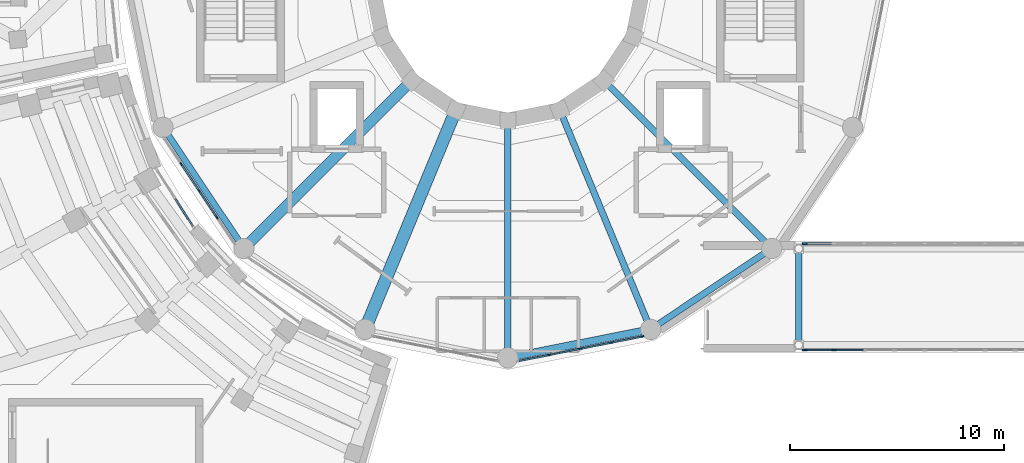
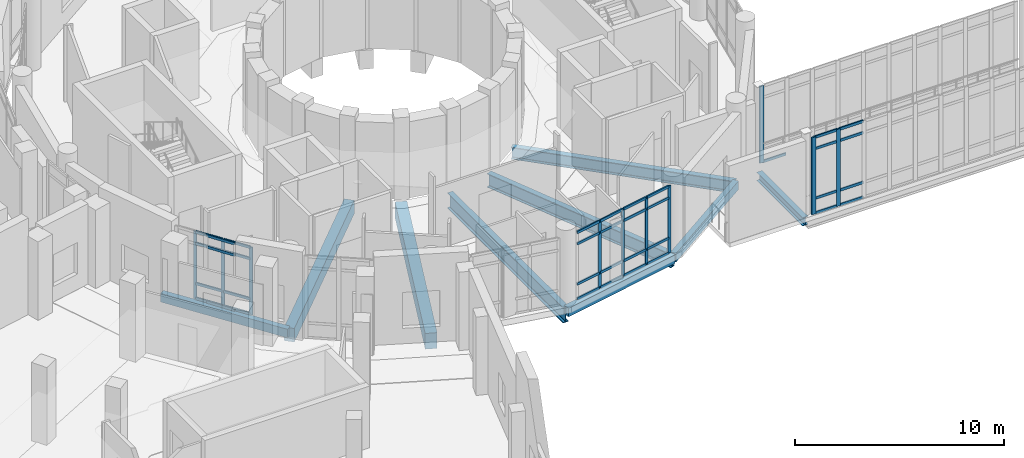
# One storey, part 13 of 89: 46 members, 9 beams, 5 elements without a shape of their own.
"""IFC4 building model written with IfcOpenShell, lengths in metres."""

from ifc_helpers import new_model, si_unit, direction, frame, origin, origin_2d, place, context, subcontext, project, spatial, rectangle, i_section, extrude, material, material_profile, profile_set, type_object, element, aggregate, save


model = new_model("IFC4")

# Units and contexts
model_context = context("Model", 3, precision=1e-05, world=origin(), true_north=direction((0.0, 1.0)))
body_context = subcontext(model_context, "Body", "Model", "MODEL_VIEW")
ifc_project = project(units=[si_unit("LENGTHUNIT", "METRE"), si_unit("AREAUNIT", "SQUARE_METRE"), si_unit("VOLUMEUNIT", "CUBIC_METRE"), si_unit("PLANEANGLEUNIT", "RADIAN"), si_unit("MASSUNIT", "GRAM", prefix="KILO")], contexts=[model_context])

# Site, building, storey
site_placement = place(None, origin())
site = spatial("IfcSite", under=ifc_project, at=site_placement, CompositionType="ELEMENT")
building_placement = place(site_placement, origin())
building = spatial("IfcBuilding", under=site, at=building_placement, Name="Soyqirgoq Riverine Aquarium", CompositionType="ELEMENT")
storey_placement = place(building_placement, frame((0.0, 0.0, 5.39990234375)))
storey = spatial("IfcBuildingStorey", under=building, at=storey_placement, Name="L02", CompositionType="ELEMENT", Elevation=5.39990234375)

# Curtain wall, members
ifc_material_1 = material(Name="Anodised aluminium thermally broken triple low-E glazing", Category="aluminium")
curtain_wall_type_1 = type_object("IfcCurtainWallType", Name="CW_DrumGallery_Unitised", PredefinedType="NOTDEFINED", material=ifc_material_1)
curtain_wall_1_placement = place(storey_placement, origin())
curtain_wall_1 = element("IfcCurtainWall", 1, at=curtain_wall_1_placement, inside=storey, type_object=curtain_wall_type_1, Name="V1 L02 Curtain Wall 035", PredefinedType="NOTDEFINED")
ifc_material_2 = material(Name="Anodised aluminium 6063-T6", Category="aluminium")
ifc_material_profile_1 = material_profile(ifc_material_2, rectangle(XDim=0.06494140625, YDim=0.179931640625, at=origin_2d()), Name="ALU-M 65x180")
ifc_profile_set_1 = profile_set([ifc_material_profile_1], Name="Anodised aluminium 6063-T6")
member_type_1 = type_object("IfcMemberType", Name="CWMullion_65x180", PredefinedType="MULLION", material=ifc_profile_set_1)
member_1_placement = place(storey_placement, frame((40.7392578125, 48.592041015625, 0.0), z_axis=(0.0, 0.0, 1.0), x_axis=(0.8314732256, 0.5555648253, 0.0)))
member_1 = element("IfcMember", 2, at=member_1_placement, type_object=member_type_1, Name="CW-01 mullion 2", PredefinedType="MULLION", context=body_context, shape_type="SweptSolid", body=[
    extrude(rectangle(XDim=0.06494140625, YDim=0.179931640625, at=origin_2d()), origin(), (0.0, 0.0, 1.0), 3.9501953125),
])
member_2_placement = place(storey_placement, frame((41.565673828125, 47.35546875, 0.0), z_axis=(0.0, 0.0, 1.0), x_axis=(0.8314732256, 0.5555648253, 0.0)))
member_2 = element("IfcMember", 3, at=member_2_placement, type_object=member_type_1, Name="CW-01 mullion 3", PredefinedType="MULLION", context=body_context, shape_type="SweptSolid", body=[
    extrude(rectangle(XDim=0.06494140625, YDim=0.179931640625, at=origin_2d()), origin(), (0.0, 0.0, 1.0), 3.9501953125),
])
member_3_placement = place(storey_placement, frame((42.39208984375, 46.11865234375, 0.0), z_axis=(0.0, 0.0, 1.0), x_axis=(0.8314732256, 0.5555648253, 0.0)))
member_3 = element("IfcMember", 4, at=member_3_placement, type_object=member_type_1, Name="CW-01 mullion 4", PredefinedType="MULLION", context=body_context, shape_type="SweptSolid", body=[
    extrude(rectangle(XDim=0.06494140625, YDim=0.179931640625, at=origin_2d()), origin(), (0.0, 0.0, 1.0), 3.9501953125),
])

curtain_wall_2_placement = place(storey_placement, origin())
curtain_wall_2 = element("IfcCurtainWall", 5, at=curtain_wall_2_placement, inside=storey, type_object=curtain_wall_type_1, Name="V1 L02 Curtain Wall 056", PredefinedType="NOTDEFINED")
member_4_placement = place(storey_placement, frame((57.927978515625, 39.68359375, 0.0), z_axis=(0.0, 0.0, 1.0), x_axis=(-0.195088165618, 0.980785709335, 0.0)))
member_4 = element("IfcMember", 6, at=member_4_placement, type_object=member_type_1, Name="CW-01 mullion 2", PredefinedType="MULLION", context=body_context, shape_type="SweptSolid", body=[
    extrude(rectangle(XDim=0.06494140625, YDim=0.179931640625, at=origin_2d()), origin(), (0.0, 0.0, 1.0), 3.9501953125),
])
member_5_placement = place(storey_placement, frame((59.38671875, 39.9736328125, 0.0), z_axis=(0.0, 0.0, 1.0), x_axis=(-0.195088165618, 0.980785709335, 0.0)))
member_5 = element("IfcMember", 7, at=member_5_placement, type_object=member_type_1, Name="CW-01 mullion 3", PredefinedType="MULLION", context=body_context, shape_type="SweptSolid", body=[
    extrude(rectangle(XDim=0.06494140625, YDim=0.179931640625, at=origin_2d()), origin(), (0.0, 0.0, 1.0), 3.9501953125),
])
member_6_placement = place(storey_placement, frame((60.845458984375, 40.263916015625, 0.0), z_axis=(0.0, 0.0, 1.0), x_axis=(-0.195088165618, 0.980785709335, 0.0)))
member_6 = element("IfcMember", 8, at=member_6_placement, type_object=member_type_1, Name="CW-01 mullion 4", PredefinedType="MULLION", context=body_context, shape_type="SweptSolid", body=[
    extrude(rectangle(XDim=0.06494140625, YDim=0.179931640625, at=origin_2d()), origin(), (0.0, 0.0, 1.0), 3.9501953125),
])
member_7_placement = place(storey_placement, frame((62.2724609375, 40.547607421875, 0.0), z_axis=(0.0, 0.0, 1.0), x_axis=(-0.195088165618, 0.980785709335, 0.0)))
member_7 = element("IfcMember", 9, at=member_7_placement, type_object=member_type_1, Name="CW-01 mullion 5", PredefinedType="MULLION", context=body_context, shape_type="SweptSolid", body=[
    extrude(rectangle(XDim=0.06494140625, YDim=0.179931640625, at=origin_2d()), origin(), (0.0, 0.0, 1.0), 3.9501953125),
])

ifc_material_3 = material(Name="Laminated solar-control bridge curtain wall", Category="aluminium")
curtain_wall_type_2 = type_object("IfcCurtainWallType", Name="CW_Bridge_Concourse", PredefinedType="NOTDEFINED", material=ifc_material_3)
curtain_wall_3_placement = place(storey_placement, origin())
curtain_wall_3 = element("IfcCurtainWall", 10, at=curtain_wall_3_placement, inside=storey, type_object=curtain_wall_type_2, Name="BR-1 L02 Curtain Wall 135", PredefinedType="NOTDEFINED")
ifc_material_4 = material(Name="Anodised aluminium 6063-T6", Category="aluminium")
ifc_material_profile_2 = material_profile(ifc_material_4, rectangle(XDim=0.080078125, YDim=0.219970703125, at=origin_2d()), Name="ALU-M 80x220")
ifc_profile_set_2 = profile_set([ifc_material_profile_2], Name="Anodised aluminium 6063-T6")
member_type_2 = type_object("IfcMemberType", Name="CWMullion_80x220", PredefinedType="MULLION", material=ifc_profile_set_2)
member_8_placement = place(storey_placement, frame((69.8798828125, 39.919921875, 0.0), z_axis=(0.0, 0.0, 1.0), x_axis=(0.0, 1.0, 0.0)))
member_8 = element("IfcMember", 11, at=member_8_placement, type_object=member_type_2, Name="CW-06 mullion 1", PredefinedType="MULLION", context=body_context, shape_type="SweptSolid", body=[
    extrude(rectangle(XDim=0.080078125, YDim=0.219970703125, at=origin_2d()), origin(), (0.0, 0.0, 1.0), 4.5),
])
member_9_placement = place(storey_placement, frame((71.251953125, 39.919921875, 0.0), z_axis=(0.0, 0.0, 1.0), x_axis=(0.0, 1.0, 0.0)))
member_9 = element("IfcMember", 12, at=member_9_placement, type_object=member_type_2, Name="CW-06 mullion 2", PredefinedType="MULLION", context=body_context, shape_type="SweptSolid", body=[
    extrude(rectangle(XDim=0.080078125, YDim=0.219970703125, at=origin_2d()), origin(), (0.0, 0.0, 1.0), 4.5),
])

# Curtain wall, member
curtain_wall_4_placement = place(storey_placement, origin())
curtain_wall_4 = element("IfcCurtainWall", 13, at=curtain_wall_4_placement, inside=storey, type_object=curtain_wall_type_2, Name="BR-1 L02 Curtain Wall 138", PredefinedType="NOTDEFINED")
member_10_placement = place(storey_placement, frame((69.8798828125, 44.8798828125, 0.0), z_axis=(0.0, 0.0, 1.0), x_axis=(0.0, 1.0, 0.0)))
member_10 = element("IfcMember", 14, at=member_10_placement, type_object=member_type_2, Name="CW-06 mullion 1", PredefinedType="MULLION", context=body_context, shape_type="SweptSolid", body=[
    extrude(rectangle(XDim=0.080078125, YDim=0.219970703125, at=origin_2d()), origin(), (0.0, 0.0, 1.0), 4.5),
])

# Member
ifc_material_5 = material(Name="Anodised aluminium 6063-T6", Category="aluminium")
ifc_material_profile_3 = material_profile(ifc_material_5, rectangle(XDim=0.074951171875, YDim=0.14990234375, at=origin_2d()), Name="ALU-T 75x150")
ifc_profile_set_3 = profile_set([ifc_material_profile_3], Name="Anodised aluminium 6063-T6")
member_type_3 = type_object("IfcMemberType", Name="CWTransom_75x150", PredefinedType="USERDEFINED", material=ifc_profile_set_3)
member_11_placement = place(storey_placement, frame((40.75732421875, 48.565185546875, 0.03759765625), z_axis=(0.555531612552, -0.831495416377, 0.0), x_axis=(0.831495416377, 0.555531612552, 0.0)))
member_11 = element("IfcMember", 15, at=member_11_placement, type_object=member_type_3, Name="CW-01 transom 2.1", ObjectType="TRANSOM", PredefinedType="USERDEFINED", context=body_context, shape_type="SweptSolid", body=[
    extrude(rectangle(XDim=0.074951171875, YDim=0.14990234375, at=origin_2d()), origin(), (0.0, 0.0, 1.0), 1.422607421875),
])

member_12_placement = place(storey_placement, frame((40.75732421875, 48.565185546875, 0.900146484375), z_axis=(0.555531612552, -0.831495416377, 0.0), x_axis=(0.831495416377, 0.555531612552, 0.0)))
member_12 = element("IfcMember", 16, at=member_12_placement, type_object=member_type_3, Name="CW-01 transom 2.2", ObjectType="TRANSOM", PredefinedType="USERDEFINED", context=body_context, shape_type="SweptSolid", body=[
    extrude(rectangle(XDim=0.074951171875, YDim=0.14990234375, at=origin_2d()), origin(), (0.0, 0.0, 1.0), 1.422607421875),
])

member_13_placement = place(storey_placement, frame((40.75732421875, 48.565185546875, 3.25), z_axis=(0.555531612552, -0.831495416377, 0.0), x_axis=(0.831495416377, 0.555531612552, 0.0)))
member_13 = element("IfcMember", 17, at=member_13_placement, type_object=member_type_3, Name="CW-01 transom 2.3", ObjectType="TRANSOM", PredefinedType="USERDEFINED", context=body_context, shape_type="SweptSolid", body=[
    extrude(rectangle(XDim=0.074951171875, YDim=0.14990234375, at=origin_2d()), origin(), (0.0, 0.0, 1.0), 1.422607421875),
])

member_14_placement = place(storey_placement, frame((40.75732421875, 48.565185546875, 3.91259765625), z_axis=(0.555531612552, -0.831495416377, 0.0), x_axis=(0.831495416377, 0.555531612552, 0.0)))
member_14 = element("IfcMember", 18, at=member_14_placement, type_object=member_type_3, Name="CW-01 transom 2.4", ObjectType="TRANSOM", PredefinedType="USERDEFINED", context=body_context, shape_type="SweptSolid", body=[
    extrude(rectangle(XDim=0.074951171875, YDim=0.14990234375, at=origin_2d()), origin(), (0.0, 0.0, 1.0), 1.422607421875),
])

member_15_placement = place(storey_placement, frame((41.583740234375, 47.328369140625, 0.03759765625), z_axis=(0.555531612552, -0.831495416377, 0.0), x_axis=(0.831495416377, 0.555531612552, 0.0)))
member_15 = element("IfcMember", 19, at=member_15_placement, type_object=member_type_3, Name="CW-01 transom 3.1", ObjectType="TRANSOM", PredefinedType="USERDEFINED", context=body_context, shape_type="SweptSolid", body=[
    extrude(rectangle(XDim=0.074951171875, YDim=0.14990234375, at=origin_2d()), origin(), (0.0, 0.0, 1.0), 1.422607421875),
])

member_16_placement = place(storey_placement, frame((41.583740234375, 47.328369140625, 0.900146484375), z_axis=(0.555531612552, -0.831495416377, 0.0), x_axis=(0.831495416377, 0.555531612552, 0.0)))
member_16 = element("IfcMember", 20, at=member_16_placement, type_object=member_type_3, Name="CW-01 transom 3.2", ObjectType="TRANSOM", PredefinedType="USERDEFINED", context=body_context, shape_type="SweptSolid", body=[
    extrude(rectangle(XDim=0.074951171875, YDim=0.14990234375, at=origin_2d()), origin(), (0.0, 0.0, 1.0), 1.422607421875),
])

member_17_placement = place(storey_placement, frame((41.583740234375, 47.328369140625, 3.25), z_axis=(0.555531612552, -0.831495416377, 0.0), x_axis=(0.831495416377, 0.555531612552, 0.0)))
member_17 = element("IfcMember", 21, at=member_17_placement, type_object=member_type_3, Name="CW-01 transom 3.3", ObjectType="TRANSOM", PredefinedType="USERDEFINED", context=body_context, shape_type="SweptSolid", body=[
    extrude(rectangle(XDim=0.074951171875, YDim=0.14990234375, at=origin_2d()), origin(), (0.0, 0.0, 1.0), 1.422607421875),
])

member_18_placement = place(storey_placement, frame((41.583740234375, 47.328369140625, 3.91259765625), z_axis=(0.555531612552, -0.831495416377, 0.0), x_axis=(0.831495416377, 0.555531612552, 0.0)))
member_18 = element("IfcMember", 22, at=member_18_placement, type_object=member_type_3, Name="CW-01 transom 3.4", ObjectType="TRANSOM", PredefinedType="USERDEFINED", context=body_context, shape_type="SweptSolid", body=[
    extrude(rectangle(XDim=0.074951171875, YDim=0.14990234375, at=origin_2d()), origin(), (0.0, 0.0, 1.0), 1.422607421875),
])

aggregate(curtain_wall_1, [member_1, member_2, member_3, member_11, member_12, member_13, member_14, member_15, member_16, member_17, member_18])

member_19_placement = place(storey_placement, frame((56.532958984375, 39.406005859375, 0.03759765625), z_axis=(0.980769403258, 0.195170124847, 0.0), x_axis=(-0.195170124847, 0.980769403258, 0.0)))
member_19 = element("IfcMember", 23, at=member_19_placement, type_object=member_type_3, Name="CW-01 transom 1.1", ObjectType="TRANSOM", PredefinedType="USERDEFINED", context=body_context, shape_type="SweptSolid", body=[
    extrude(rectangle(XDim=0.074951171875, YDim=0.14990234375, at=origin_2d()), origin(), (0.0, 0.0, 1.0), 1.3896484375),
])

member_20_placement = place(storey_placement, frame((56.532958984375, 39.406005859375, 0.900146484375), z_axis=(0.980769403258, 0.195170124847, 0.0), x_axis=(-0.195170124847, 0.980769403258, 0.0)))
member_20 = element("IfcMember", 24, at=member_20_placement, type_object=member_type_3, Name="CW-01 transom 1.2", ObjectType="TRANSOM", PredefinedType="USERDEFINED", context=body_context, shape_type="SweptSolid", body=[
    extrude(rectangle(XDim=0.074951171875, YDim=0.14990234375, at=origin_2d()), origin(), (0.0, 0.0, 1.0), 1.3896484375),
])

member_21_placement = place(storey_placement, frame((56.532958984375, 39.406005859375, 3.25), z_axis=(0.980769403258, 0.195170124847, 0.0), x_axis=(-0.195170124847, 0.980769403258, 0.0)))
member_21 = element("IfcMember", 25, at=member_21_placement, type_object=member_type_3, Name="CW-01 transom 1.3", ObjectType="TRANSOM", PredefinedType="USERDEFINED", context=body_context, shape_type="SweptSolid", body=[
    extrude(rectangle(XDim=0.074951171875, YDim=0.14990234375, at=origin_2d()), origin(), (0.0, 0.0, 1.0), 1.3896484375),
])

member_22_placement = place(storey_placement, frame((56.532958984375, 39.406005859375, 3.91259765625), z_axis=(0.980769403258, 0.195170124847, 0.0), x_axis=(-0.195170124847, 0.980769403258, 0.0)))
member_22 = element("IfcMember", 26, at=member_22_placement, type_object=member_type_3, Name="CW-01 transom 1.4", ObjectType="TRANSOM", PredefinedType="USERDEFINED", context=body_context, shape_type="SweptSolid", body=[
    extrude(rectangle(XDim=0.074951171875, YDim=0.14990234375, at=origin_2d()), origin(), (0.0, 0.0, 1.0), 1.3896484375),
])

member_23_placement = place(storey_placement, frame((57.959716796875, 39.689697265625, 0.03759765625), z_axis=(0.980778192848, 0.195125950178, 0.0), x_axis=(-0.195125950178, 0.980778192848, 0.0)))
member_23 = element("IfcMember", 27, at=member_23_placement, type_object=member_type_3, Name="CW-01 transom 2.1", ObjectType="TRANSOM", PredefinedType="USERDEFINED", context=body_context, shape_type="SweptSolid", body=[
    extrude(rectangle(XDim=0.074951171875, YDim=0.14990234375, at=origin_2d()), origin(), (0.0, 0.0, 1.0), 1.422607421875),
])

member_24_placement = place(storey_placement, frame((57.959716796875, 39.689697265625, 0.900146484375), z_axis=(0.980778192848, 0.195125950178, 0.0), x_axis=(-0.195125950178, 0.980778192848, 0.0)))
member_24 = element("IfcMember", 28, at=member_24_placement, type_object=member_type_3, Name="CW-01 transom 2.2", ObjectType="TRANSOM", PredefinedType="USERDEFINED", context=body_context, shape_type="SweptSolid", body=[
    extrude(rectangle(XDim=0.074951171875, YDim=0.14990234375, at=origin_2d()), origin(), (0.0, 0.0, 1.0), 1.422607421875),
])

member_25_placement = place(storey_placement, frame((57.959716796875, 39.689697265625, 3.25), z_axis=(0.980778192848, 0.195125950178, 0.0), x_axis=(-0.195125950178, 0.980778192848, 0.0)))
member_25 = element("IfcMember", 29, at=member_25_placement, type_object=member_type_3, Name="CW-01 transom 2.3", ObjectType="TRANSOM", PredefinedType="USERDEFINED", context=body_context, shape_type="SweptSolid", body=[
    extrude(rectangle(XDim=0.074951171875, YDim=0.14990234375, at=origin_2d()), origin(), (0.0, 0.0, 1.0), 1.422607421875),
])

member_26_placement = place(storey_placement, frame((57.959716796875, 39.689697265625, 3.91259765625), z_axis=(0.980778192848, 0.195125950178, 0.0), x_axis=(-0.195125950178, 0.980778192848, 0.0)))
member_26 = element("IfcMember", 30, at=member_26_placement, type_object=member_type_3, Name="CW-01 transom 2.4", ObjectType="TRANSOM", PredefinedType="USERDEFINED", context=body_context, shape_type="SweptSolid", body=[
    extrude(rectangle(XDim=0.074951171875, YDim=0.14990234375, at=origin_2d()), origin(), (0.0, 0.0, 1.0), 1.422607421875),
])

member_27_placement = place(storey_placement, frame((59.418701171875, 39.97998046875, 0.03759765625), z_axis=(0.980771657116, 0.195158798415, 0.0), x_axis=(-0.195158798415, 0.980771657116, 0.0)))
member_27 = element("IfcMember", 31, at=member_27_placement, type_object=member_type_3, Name="CW-01 transom 3.1", ObjectType="TRANSOM", PredefinedType="USERDEFINED", context=body_context, shape_type="SweptSolid", body=[
    extrude(rectangle(XDim=0.074951171875, YDim=0.14990234375, at=origin_2d()), origin(), (0.0, 0.0, 1.0), 1.42236328125),
])

member_28_placement = place(storey_placement, frame((59.418701171875, 39.97998046875, 0.900146484375), z_axis=(0.980771657116, 0.195158798415, 0.0), x_axis=(-0.195158798415, 0.980771657116, 0.0)))
member_28 = element("IfcMember", 32, at=member_28_placement, type_object=member_type_3, Name="CW-01 transom 3.2", ObjectType="TRANSOM", PredefinedType="USERDEFINED", context=body_context, shape_type="SweptSolid", body=[
    extrude(rectangle(XDim=0.074951171875, YDim=0.14990234375, at=origin_2d()), origin(), (0.0, 0.0, 1.0), 1.42236328125),
])

member_29_placement = place(storey_placement, frame((59.418701171875, 39.97998046875, 3.25), z_axis=(0.980771657116, 0.195158798415, 0.0), x_axis=(-0.195158798415, 0.980771657116, 0.0)))
member_29 = element("IfcMember", 33, at=member_29_placement, type_object=member_type_3, Name="CW-01 transom 3.3", ObjectType="TRANSOM", PredefinedType="USERDEFINED", context=body_context, shape_type="SweptSolid", body=[
    extrude(rectangle(XDim=0.074951171875, YDim=0.14990234375, at=origin_2d()), origin(), (0.0, 0.0, 1.0), 1.42236328125),
])

member_30_placement = place(storey_placement, frame((59.418701171875, 39.97998046875, 3.91259765625), z_axis=(0.980771657116, 0.195158798415, 0.0), x_axis=(-0.195158798415, 0.980771657116, 0.0)))
member_30 = element("IfcMember", 34, at=member_30_placement, type_object=member_type_3, Name="CW-01 transom 3.4", ObjectType="TRANSOM", PredefinedType="USERDEFINED", context=body_context, shape_type="SweptSolid", body=[
    extrude(rectangle(XDim=0.074951171875, YDim=0.14990234375, at=origin_2d()), origin(), (0.0, 0.0, 1.0), 1.42236328125),
])

member_31_placement = place(storey_placement, frame((60.87744140625, 40.270263671875, 0.03759765625), z_axis=(0.980809694645, 0.194967543169, 0.0), x_axis=(-0.194967543169, 0.980809694645, 0.0)))
member_31 = element("IfcMember", 35, at=member_31_placement, type_object=member_type_3, Name="CW-01 transom 4.1", ObjectType="TRANSOM", PredefinedType="USERDEFINED", context=body_context, shape_type="SweptSolid", body=[
    extrude(rectangle(XDim=0.074951171875, YDim=0.14990234375, at=origin_2d()), origin(), (0.0, 0.0, 1.0), 1.389892578125),
])

member_32_placement = place(storey_placement, frame((60.87744140625, 40.270263671875, 0.900146484375), z_axis=(0.980809694645, 0.194967543169, 0.0), x_axis=(-0.194967543169, 0.980809694645, 0.0)))
member_32 = element("IfcMember", 36, at=member_32_placement, type_object=member_type_3, Name="CW-01 transom 4.2", ObjectType="TRANSOM", PredefinedType="USERDEFINED", context=body_context, shape_type="SweptSolid", body=[
    extrude(rectangle(XDim=0.074951171875, YDim=0.14990234375, at=origin_2d()), origin(), (0.0, 0.0, 1.0), 1.389892578125),
])

member_33_placement = place(storey_placement, frame((60.87744140625, 40.270263671875, 3.25), z_axis=(0.980809694645, 0.194967543169, 0.0), x_axis=(-0.194967543169, 0.980809694645, 0.0)))
member_33 = element("IfcMember", 37, at=member_33_placement, type_object=member_type_3, Name="CW-01 transom 4.3", ObjectType="TRANSOM", PredefinedType="USERDEFINED", context=body_context, shape_type="SweptSolid", body=[
    extrude(rectangle(XDim=0.074951171875, YDim=0.14990234375, at=origin_2d()), origin(), (0.0, 0.0, 1.0), 1.389892578125),
])

member_34_placement = place(storey_placement, frame((60.87744140625, 40.270263671875, 3.91259765625), z_axis=(0.980809694645, 0.194967543169, 0.0), x_axis=(-0.194967543169, 0.980809694645, 0.0)))
member_34 = element("IfcMember", 38, at=member_34_placement, type_object=member_type_3, Name="CW-01 transom 4.4", ObjectType="TRANSOM", PredefinedType="USERDEFINED", context=body_context, shape_type="SweptSolid", body=[
    extrude(rectangle(XDim=0.074951171875, YDim=0.14990234375, at=origin_2d()), origin(), (0.0, 0.0, 1.0), 1.389892578125),
])

aggregate(curtain_wall_2, [member_4, member_5, member_6, member_7, member_19, member_20, member_21, member_22, member_23, member_24, member_25, member_26, member_27, member_28, member_29, member_30, member_31, member_32, member_33, member_34])

# Curtain wall, members
ifc_material_6 = material(Name="Anodised aluminium thermally broken double low-E glazing", Category="aluminium")
curtain_wall_type_3 = type_object("IfcCurtainWallType", Name="CW_Wedge_NorthBay", PredefinedType="NOTDEFINED", material=ifc_material_6)
curtain_wall_5_placement = place(storey_placement, origin())
curtain_wall_5 = element("IfcCurtainWall", 39, at=curtain_wall_5_placement, inside=storey, type_object=curtain_wall_type_3, Name="V2 L02 Curtain Wall 081", PredefinedType="NOTDEFINED")
member_35_placement = place(storey_placement, frame((40.4521484375, 46.983642578125, 0.900146484375), z_axis=(0.539745335311, -0.841828351275, 0.0), x_axis=(0.841828351275, 0.539745335311, 0.0)))
member_35 = element("IfcMember", 40, at=member_35_placement, type_object=member_type_3, Name="CW-03 transom 2.2", ObjectType="TRANSOM", PredefinedType="USERDEFINED", context=body_context, shape_type="SweptSolid", body=[
    extrude(rectangle(XDim=0.074951171875, YDim=0.14990234375, at=origin_2d()), origin(), (0.0, 0.0, 1.0), 1.51220703125),
])
member_36_placement = place(storey_placement, frame((40.4521484375, 46.983642578125, 4.110107421875), z_axis=(0.539745335311, -0.841828351275, 0.0), x_axis=(0.841828351275, 0.539745335311, 0.0)))
member_36 = element("IfcMember", 41, at=member_36_placement, type_object=member_type_3, Name="CW-03 transom 2.3", ObjectType="TRANSOM", PredefinedType="USERDEFINED", context=body_context, shape_type="SweptSolid", body=[
    extrude(rectangle(XDim=0.074951171875, YDim=0.14990234375, at=origin_2d()), origin(), (0.0, 0.0, 1.0), 1.51220703125),
])
member_37_placement = place(storey_placement, frame((40.4521484375, 46.983642578125, 4.772705078125), z_axis=(0.539745335311, -0.841828351275, 0.0), x_axis=(0.841828351275, 0.539745335311, 0.0)))
member_37 = element("IfcMember", 42, at=member_37_placement, type_object=member_type_3, Name="CW-03 transom 2.4", ObjectType="TRANSOM", PredefinedType="USERDEFINED", context=body_context, shape_type="SweptSolid", body=[
    extrude(rectangle(XDim=0.074951171875, YDim=0.14990234375, at=origin_2d()), origin(), (0.0, 0.0, 1.0), 1.51220703125),
])
aggregate(curtain_wall_5, [member_35, member_36, member_37])

# Member
member_38_placement = place(storey_placement, frame((69.919921875, 39.919921875, 0.03759765625), z_axis=(1.0, 0.0, 0.0), x_axis=(0.0, 1.0, 0.0)))
member_38 = element("IfcMember", 43, at=member_38_placement, type_object=member_type_3, Name="CW-06 transom 1.1", ObjectType="TRANSOM", PredefinedType="USERDEFINED", context=body_context, shape_type="SweptSolid", body=[
    extrude(rectangle(XDim=0.074951171875, YDim=0.14990234375, at=origin_2d()), origin(), (0.0, 0.0, 1.0), 1.2919921875),
])

member_39_placement = place(storey_placement, frame((69.919921875, 39.919921875, 0.900146484375), z_axis=(1.0, 0.0, 0.0), x_axis=(0.0, 1.0, 0.0)))
member_39 = element("IfcMember", 44, at=member_39_placement, type_object=member_type_3, Name="CW-06 transom 1.2", ObjectType="TRANSOM", PredefinedType="USERDEFINED", context=body_context, shape_type="SweptSolid", body=[
    extrude(rectangle(XDim=0.074951171875, YDim=0.14990234375, at=origin_2d()), origin(), (0.0, 0.0, 1.0), 1.2919921875),
])

member_40_placement = place(storey_placement, frame((69.919921875, 39.919921875, 3.800048828125), z_axis=(1.0, 0.0, 0.0), x_axis=(0.0, 1.0, 0.0)))
member_40 = element("IfcMember", 45, at=member_40_placement, type_object=member_type_3, Name="CW-06 transom 1.3", ObjectType="TRANSOM", PredefinedType="USERDEFINED", context=body_context, shape_type="SweptSolid", body=[
    extrude(rectangle(XDim=0.074951171875, YDim=0.14990234375, at=origin_2d()), origin(), (0.0, 0.0, 1.0), 1.2919921875),
])

member_41_placement = place(storey_placement, frame((69.919921875, 39.919921875, 4.462646484375), z_axis=(1.0, 0.0, 0.0), x_axis=(0.0, 1.0, 0.0)))
member_41 = element("IfcMember", 46, at=member_41_placement, type_object=member_type_3, Name="CW-06 transom 1.4", ObjectType="TRANSOM", PredefinedType="USERDEFINED", context=body_context, shape_type="SweptSolid", body=[
    extrude(rectangle(XDim=0.074951171875, YDim=0.14990234375, at=origin_2d()), origin(), (0.0, 0.0, 1.0), 1.2919921875),
])

member_42_placement = place(storey_placement, frame((71.2919921875, 39.919921875, 0.03759765625), z_axis=(1.0, 0.0, 0.0), x_axis=(0.0, 1.0, 0.0)))
member_42 = element("IfcMember", 47, at=member_42_placement, type_object=member_type_3, Name="CW-06 transom 2.1", ObjectType="TRANSOM", PredefinedType="USERDEFINED", context=body_context, shape_type="SweptSolid", body=[
    extrude(rectangle(XDim=0.074951171875, YDim=0.14990234375, at=origin_2d()), origin(), (0.0, 0.0, 1.0), 1.33203125),
])

member_43_placement = place(storey_placement, frame((71.2919921875, 39.919921875, 0.900146484375), z_axis=(1.0, 0.0, 0.0), x_axis=(0.0, 1.0, 0.0)))
member_43 = element("IfcMember", 48, at=member_43_placement, type_object=member_type_3, Name="CW-06 transom 2.2", ObjectType="TRANSOM", PredefinedType="USERDEFINED", context=body_context, shape_type="SweptSolid", body=[
    extrude(rectangle(XDim=0.074951171875, YDim=0.14990234375, at=origin_2d()), origin(), (0.0, 0.0, 1.0), 1.33203125),
])

member_44_placement = place(storey_placement, frame((71.2919921875, 39.919921875, 3.800048828125), z_axis=(1.0, 0.0, 0.0), x_axis=(0.0, 1.0, 0.0)))
member_44 = element("IfcMember", 49, at=member_44_placement, type_object=member_type_3, Name="CW-06 transom 2.3", ObjectType="TRANSOM", PredefinedType="USERDEFINED", context=body_context, shape_type="SweptSolid", body=[
    extrude(rectangle(XDim=0.074951171875, YDim=0.14990234375, at=origin_2d()), origin(), (0.0, 0.0, 1.0), 1.33203125),
])

member_45_placement = place(storey_placement, frame((71.2919921875, 39.919921875, 4.462646484375), z_axis=(1.0, 0.0, 0.0), x_axis=(0.0, 1.0, 0.0)))
member_45 = element("IfcMember", 50, at=member_45_placement, type_object=member_type_3, Name="CW-06 transom 2.4", ObjectType="TRANSOM", PredefinedType="USERDEFINED", context=body_context, shape_type="SweptSolid", body=[
    extrude(rectangle(XDim=0.074951171875, YDim=0.14990234375, at=origin_2d()), origin(), (0.0, 0.0, 1.0), 1.33203125),
])

aggregate(curtain_wall_3, [member_8, member_9, member_38, member_39, member_40, member_41, member_42, member_43, member_44, member_45])

member_46_placement = place(storey_placement, frame((69.919921875, 44.8798828125, 0.03759765625), z_axis=(1.0, 0.0, 0.0), x_axis=(0.0, 1.0, 0.0)))
member_46 = element("IfcMember", 51, at=member_46_placement, type_object=member_type_3, Name="CW-06 transom 1.1", ObjectType="TRANSOM", PredefinedType="USERDEFINED", context=body_context, shape_type="SweptSolid", body=[
    extrude(rectangle(XDim=0.074951171875, YDim=0.14990234375, at=origin_2d()), origin(), (0.0, 0.0, 1.0), 1.2919921875),
])

aggregate(curtain_wall_4, [member_10, member_46])

# Beams
ifc_material_7 = material(Name="Concrete C40/50", Category="concrete")
ifc_material_profile_4 = material_profile(ifc_material_7, rectangle(XDim=0.5, YDim=0.800048828125, at=origin_2d()), Name="RC 500x800")
ifc_profile_set_4 = profile_set([ifc_material_profile_4], Name="Concrete C40/50")
beam_type_1 = type_object("IfcBeamType", Name="Girder_RC_500x800", PredefinedType="BEAM", material=ifc_profile_set_4)
beam_1_placement = place(storey_placement, frame((51.502685546875, 52.502685546875, -0.75), z_axis=(-0.707106781187, -0.707106781187, 0.0), x_axis=(0.707106781187, -0.707106781187, 0.0)))
element("IfcBeam", 52, at=beam_1_placement, inside=storey, type_object=beam_type_1, Name="V1 L02 Gallery Radial Beam 0050", PredefinedType="BEAM", context=body_context, shape_type="SweptSolid", body=[
    extrude(rectangle(XDim=0.5, YDim=0.800048828125, at=origin_2d()), origin(), (0.0, 0.0, 1.0), 11.07958984375),
])
ifc_material_8 = material(Name="Concrete C40/50", Category="concrete")
ifc_material_profile_5 = material_profile(ifc_material_8, rectangle(XDim=0.580078125, YDim=0.919921875, at=origin_2d()), Name="RC 580x920")
ifc_profile_set_5 = profile_set([ifc_material_profile_5], Name="Concrete C40/50")
beam_type_2 = type_object("IfcBeamType", Name="Girder_RC_580x920", PredefinedType="BEAM", material=ifc_profile_set_5)
beam_2_placement = place(storey_placement, frame((53.566162109375, 51.124267578125, -0.809814453125), z_axis=(-0.382683908742, -0.923879335189, 0.0), x_axis=(0.923879335189, -0.382683908742, 0.0)))
element("IfcBeam", 53, at=beam_2_placement, inside=storey, type_object=beam_type_2, Name="V1 L02 Gallery Radial Beam 0052", PredefinedType="BEAM", context=body_context, shape_type="SweptSolid", body=[
    extrude(rectangle(XDim=0.580078125, YDim=0.919921875, at=origin_2d()), origin(), (0.0, 0.0, 1.0), 11.080322265625),
])
ifc_material_9 = material(Name="Concrete C40/50", Category="concrete")
ifc_material_profile_6 = material_profile(ifc_material_9, rectangle(XDim=0.300048828125, YDim=0.5, at=origin_2d()), Name="RC 300x500")
ifc_profile_set_6 = profile_set([ifc_material_profile_6], Name="Concrete C40/50")
beam_type_3 = type_object("IfcBeamType", Name="Spandrel_RC_300x500", PredefinedType="SPANDREL", material=ifc_profile_set_6)
for number, where, z_axis, x_axis, name in (
    (54, (39.889404296875, 50.3056640625, -0.599853515625), (0.555557213186, -0.83147831173, 0.0), (0.83147831173, 0.555557213186, 0.0), "V1 L02 Drum Spandrel Beam 0047"),
    (55, (62.6943359375, 40.889404296875, -0.599853515625), (0.83147831173, 0.555557213186, 0.0), (-0.555557213186, 0.83147831173, 0.0), "V1 L02 Drum Spandrel Beam 0055"),
):
    element("IfcBeam", number, at=place(storey_placement, frame(where, z_axis=z_axis, x_axis=x_axis)), inside=storey, type_object=beam_type_3, Name=name, PredefinedType="SPANDREL", context=body_context, shape_type="SweptSolid", body=[
        extrude(rectangle(XDim=0.300048828125, YDim=0.5, at=origin_2d()), origin(), (0.0, 0.0, 1.0), 6.768798828125),
    ])
ifc_material_10 = material(Name="Concrete C40/50", Category="concrete")
ifc_material_profile_7 = material_profile(ifc_material_10, rectangle(XDim=0.35009765625, YDim=0.5, at=origin_2d()), Name="RC 350x500")
ifc_profile_set_7 = profile_set([ifc_material_profile_7], Name="Concrete C40/50")
beam_type_4 = type_object("IfcBeamType", Name="Spandrel_RC_350x500", PredefinedType="SPANDREL", material=ifc_profile_set_7)
beam_3_placement = place(storey_placement, frame((56.01953125, 39.553955078125, -0.599853515625), z_axis=(0.980784073274, 0.195096390568, 0.0), x_axis=(-0.195096390568, 0.980784073274, 0.0)))
element("IfcBeam", 56, at=beam_3_placement, inside=storey, type_object=beam_type_4, Name="V1 L02 Drum Spandrel Beam 0053", PredefinedType="SPANDREL", context=body_context, shape_type="SweptSolid", body=[
    extrude(rectangle(XDim=0.35009765625, YDim=0.5, at=origin_2d()), origin(), (0.0, 0.0, 1.0), 6.768798828125),
])
ifc_material_11 = material(Name="Structural steel S355", Category="steel")
ifc_material_profile_8 = material_profile(ifc_material_11, i_section(OverallWidth=0.300048828125, OverallDepth=0.489990234375, WebThickness=0.011962890625, FlangeThickness=0.02294921875, FilletRadius=0.027099609375, at=origin_2d()), Name="HEA 500")
ifc_profile_set_8 = profile_set([ifc_material_profile_8], Name="Structural steel S355")
beam_type_5 = type_object("IfcBeamType", Name="SteelBeam_HEA500", PredefinedType="BEAM", material=ifc_profile_set_8)
beam_4_placement = place(storey_placement, frame((69.60009765625, 40.199951171875, -0.494873046875), z_axis=(0.0, 1.0, 0.0), x_axis=(-1.0, 0.0, 0.0)))
element("IfcBeam", 57, at=beam_4_placement, inside=storey, type_object=beam_type_5, Name="BR-1 L02 Bridge Cross Transom 1442", PredefinedType="BEAM", context=body_context, shape_type="SweptSolid", body=[
    extrude(i_section(OverallWidth=0.300048828125, OverallDepth=0.489990234375, WebThickness=0.011962890625, FlangeThickness=0.02294921875, FilletRadius=0.027099609375, at=origin_2d()), origin(), (0.0, 0.0, 1.0), 4.400146484375),
])
ifc_material_12 = material(Name="Structural steel S355", Category="steel")
ifc_material_profile_9 = material_profile(ifc_material_12, i_section(OverallWidth=0.300048828125, OverallDepth=0.699951171875, WebThickness=0.01708984375, FlangeThickness=0.031982421875, FilletRadius=0.027099609375, at=origin_2d()), Name="HEB 700")
ifc_profile_set_9 = profile_set([ifc_material_profile_9], Name="Structural steel S355")
beam_type_6 = type_object("IfcBeamType", Name="SteelGirder_HEB700", PredefinedType="BEAM", material=ifc_profile_set_9)
beam_5_placement = place(storey_placement, frame((60.497314453125, 52.502685546875, -0.699951171875), z_axis=(0.707106781187, -0.707106781187, 0.0), x_axis=(0.707106781187, 0.707106781187, 0.0)))
element("IfcBeam", 58, at=beam_5_placement, inside=storey, type_object=beam_type_6, Name="V1 L02 Gallery Radial Beam 0058", PredefinedType="BEAM", context=body_context, shape_type="SweptSolid", body=[
    extrude(i_section(OverallWidth=0.300048828125, OverallDepth=0.699951171875, WebThickness=0.01708984375, FlangeThickness=0.031982421875, FilletRadius=0.027099609375, at=origin_2d()), origin(), (0.0, 0.0, 1.0), 11.07958984375),
])
ifc_material_13 = material(Name="Structural steel S355", Category="steel")
ifc_material_profile_10 = material_profile(ifc_material_13, i_section(OverallWidth=0.300048828125, OverallDepth=0.800048828125, WebThickness=0.017578125, FlangeThickness=0.032958984375, FilletRadius=0.030029296875, at=origin_2d()), Name="HEB 800")
ifc_profile_set_10 = profile_set([ifc_material_profile_10], Name="Structural steel S355")
beam_type_7 = type_object("IfcBeamType", Name="SteelGirder_HEB800", PredefinedType="BEAM", material=ifc_profile_set_10)
beam_6_placement = place(storey_placement, frame((58.433837890625, 51.124267578125, -0.75), z_axis=(0.382683908742, -0.923879335189, 0.0), x_axis=(0.923879335189, 0.382683908742, 0.0)))
element("IfcBeam", 59, at=beam_6_placement, inside=storey, type_object=beam_type_7, Name="V1 L02 Gallery Radial Beam 0056", PredefinedType="BEAM", context=body_context, shape_type="SweptSolid", body=[
    extrude(i_section(OverallWidth=0.300048828125, OverallDepth=0.800048828125, WebThickness=0.017578125, FlangeThickness=0.032958984375, FilletRadius=0.030029296875, at=origin_2d()), origin(), (0.0, 0.0, 1.0), 11.080322265625),
])
ifc_material_14 = material(Name="Structural steel S355", Category="steel")
ifc_material_profile_11 = material_profile(ifc_material_14, i_section(OverallWidth=0.300048828125, OverallDepth=0.89990234375, WebThickness=0.0185546875, FlangeThickness=0.034912109375, FilletRadius=0.030029296875, at=origin_2d()), Name="HEB 900")
ifc_profile_set_11 = profile_set([ifc_material_profile_11], Name="Structural steel S355")
beam_type_8 = type_object("IfcBeamType", Name="SteelGirder_HEB900", PredefinedType="BEAM", material=ifc_profile_set_11)
beam_7_placement = place(storey_placement, frame((56.0, 50.639892578125, -0.7998046875), z_axis=(0.0, -1.0, 0.0), x_axis=(1.0, 0.0, 0.0)))
element("IfcBeam", 60, at=beam_7_placement, inside=storey, type_object=beam_type_8, Name="V1 L02 Gallery Radial Beam 0054", PredefinedType="BEAM", context=body_context, shape_type="SweptSolid", body=[
    extrude(i_section(OverallWidth=0.300048828125, OverallDepth=0.89990234375, WebThickness=0.0185546875, FlangeThickness=0.034912109375, FilletRadius=0.030029296875, at=origin_2d()), origin(), (0.0, 0.0, 1.0), 11.079833984375),
])

save(model, "model.ifc")
